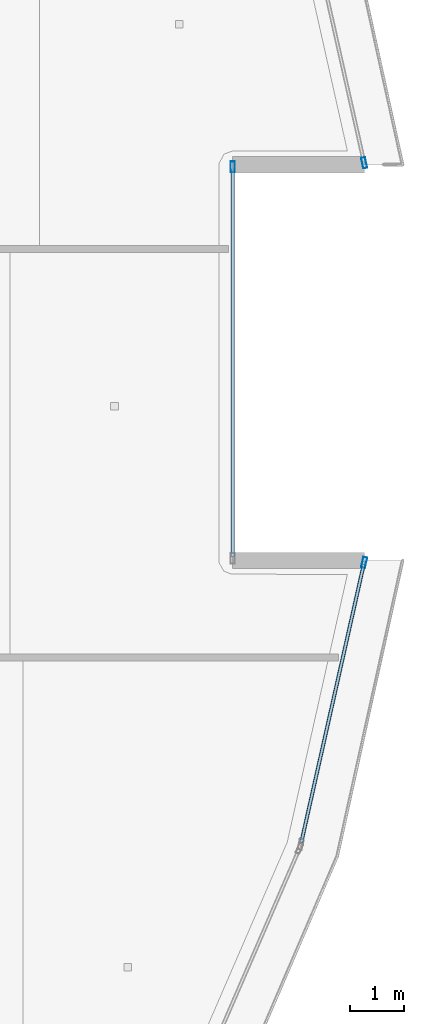
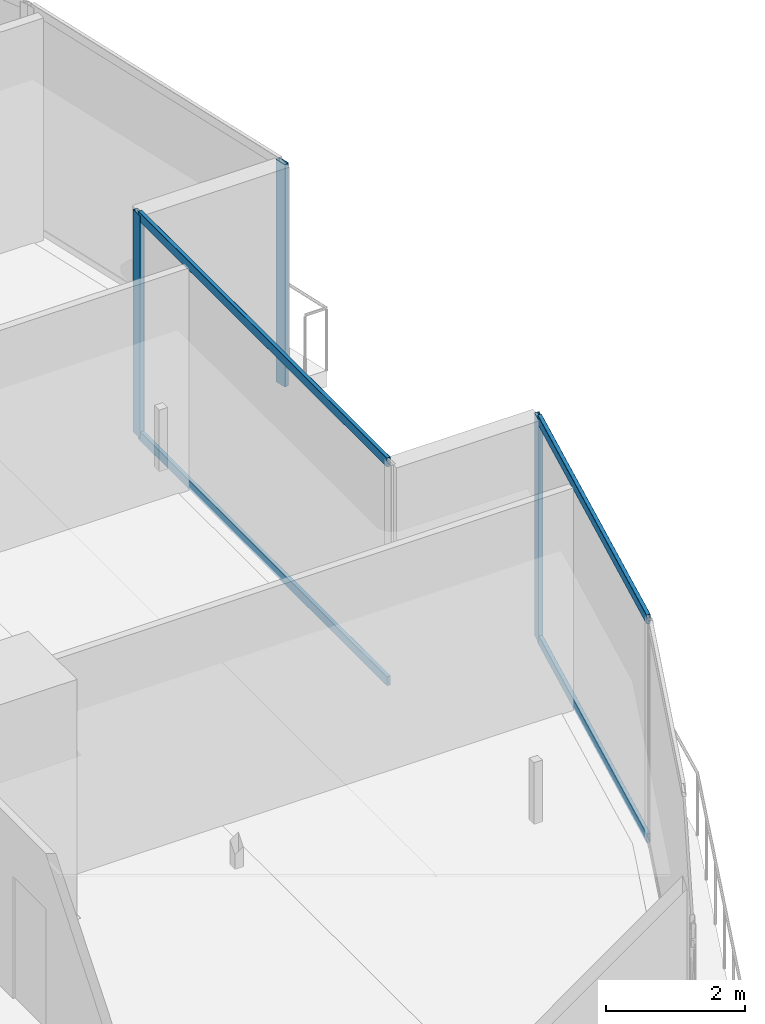
# One storey, part 10 of 29: 7 members, 3 elements without a shape of their own.
"""IFC4 building model written with IfcOpenShell, lengths in metres."""

from ifc_helpers import new_model, si_unit, direction, frame, origin, origin_2d, place, context, subcontext, project, spatial, hollow_rectangle, extrude, material, layer, layer_set, material_profile, profile_set, type_object, element, aggregate, save


model = new_model("IFC4")

# Units and contexts
model_context = context("Model", 3, precision=1e-05, world=origin(), true_north=direction((0.0, 1.0)))
body_context = subcontext(model_context, "Body", "Model", "MODEL_VIEW")
ifc_project = project(units=[si_unit("LENGTHUNIT", "METRE"), si_unit("AREAUNIT", "SQUARE_METRE"), si_unit("VOLUMEUNIT", "CUBIC_METRE"), si_unit("PLANEANGLEUNIT", "RADIAN"), si_unit("MASSUNIT", "GRAM", prefix="KILO")], contexts=[model_context])

# Site, building, storey
site_placement = place(None, origin())
site = spatial("IfcSite", under=ifc_project, at=site_placement, CompositionType="ELEMENT")
building_placement = place(site_placement, origin())
building = spatial("IfcBuilding", under=site, at=building_placement, Name="Qorvath Tower", CompositionType="ELEMENT")
storey_placement = place(building_placement, frame((0.0, 0.0, 285.0)))
storey = spatial("IfcBuildingStorey", under=building, at=storey_placement, Name="L66", CompositionType="ELEMENT", Elevation=285.0)

# Curtain wall, member
ifc_material_1 = material(Name="Anodised aluminium and triple low-E glass", Category="aluminium")
ifc_layer = layer(ifc_material_1, 0.179931640625)
ifc_layer_set = layer_set([ifc_layer], Name="CW-SYS-4")
curtain_wall_type = type_object("IfcCurtainWallType", Name="CW-SYS-4", PredefinedType="NOTDEFINED", material=ifc_layer_set)
curtain_wall_1_placement = place(storey_placement, origin())
curtain_wall_1 = element("IfcCurtainWall", 1, at=curtain_wall_1_placement, inside=storey, type_object=curtain_wall_type, Name="Curtain Wall CW-4 CW-T-L66-7.1", PredefinedType="NOTDEFINED")
ifc_material_2 = material(Name="Anodised aluminium 6063-T6", Category="aluminium")
ifc_material_profile_1 = material_profile(ifc_material_2, hollow_rectangle(XDim=0.074951171875, YDim=0.199951171875, WallThickness=0.00390625, InnerFilletRadius=0.00390625, OuterFilletRadius=0.008056640625, at=origin_2d()), Name="CWM 200x75")
ifc_profile_set_1 = profile_set([ifc_material_profile_1], Name="Anodised aluminium 6063-T6")
member_type_1 = type_object("IfcMemberType", Name="CWM-200", PredefinedType="MULLION", material=ifc_profile_set_1)
member_1_placement = place(storey_placement, frame((-2.122802734375, -3.6923828125, 0.0), z_axis=(0.0, 0.0, 1.0), x_axis=(-0.975687408116, 0.219166789554, 0.0)))
member_1 = element("IfcMember", 2, at=member_1_placement, type_object=member_type_1, Name="CW-4 mullion 2", PredefinedType="MULLION", context=body_context, shape_type="SweptSolid", body=[
    extrude(hollow_rectangle(XDim=0.074951171875, YDim=0.199951171875, WallThickness=0.00390625, InnerFilletRadius=0.00390625, OuterFilletRadius=0.008056640625, at=origin_2d()), origin(), (0.0, 0.0, 1.0), 3.909912109375),
])

curtain_wall_2_placement = place(storey_placement, origin())
curtain_wall_2 = element("IfcCurtainWall", 3, at=curtain_wall_2_placement, inside=storey, type_object=curtain_wall_type, Name="Curtain Wall CW-4 CW-T-L66-9.1", PredefinedType="NOTDEFINED")
member_2_placement = place(storey_placement, frame((-4.552001953125, 3.618408203125, 0.0), z_axis=(0.0, 0.0, 1.0), x_axis=(-1.0, 0.0, 0.0)))
member_2 = element("IfcMember", 4, at=member_2_placement, type_object=member_type_1, Name="CW-4 mullion 2", PredefinedType="MULLION", context=body_context, shape_type="SweptSolid", body=[
    extrude(hollow_rectangle(XDim=0.074951171875, YDim=0.199951171875, WallThickness=0.00390625, InnerFilletRadius=0.00390625, OuterFilletRadius=0.008056640625, at=origin_2d()), origin(), (0.0, 0.0, 1.0), 3.909912109375),
])

curtain_wall_3_placement = place(storey_placement, origin())
curtain_wall_3 = element("IfcCurtainWall", 5, at=curtain_wall_3_placement, inside=storey, type_object=curtain_wall_type, Name="Curtain Wall CW-4 CW-T-L66-11.1", PredefinedType="NOTDEFINED")
member_3_placement = place(storey_placement, frame((-2.122802734375, 3.6923828125, 0.0), z_axis=(0.0, 0.0, 1.0), x_axis=(-0.975687408116, -0.219166789554, 0.0)))
member_3 = element("IfcMember", 6, at=member_3_placement, type_object=member_type_1, Name="CW-4 mullion 1", PredefinedType="MULLION", context=body_context, shape_type="SweptSolid", body=[
    extrude(hollow_rectangle(XDim=0.074951171875, YDim=0.199951171875, WallThickness=0.00390625, InnerFilletRadius=0.00390625, OuterFilletRadius=0.008056640625, at=origin_2d()), origin(), (0.0, 0.0, 1.0), 3.909912109375),
])
aggregate(curtain_wall_3, [member_3])

# Member
ifc_material_3 = material(Name="Anodised aluminium 6063-T6", Category="aluminium")
ifc_material_profile_2 = material_profile(ifc_material_3, hollow_rectangle(XDim=0.06494140625, YDim=0.159912109375, WallThickness=0.00341796875, InnerFilletRadius=0.00341796875, OuterFilletRadius=0.007080078125, at=origin_2d()), Name="CWT 160x65")
ifc_profile_set_2 = profile_set([ifc_material_profile_2], Name="Anodised aluminium 6063-T6")
member_type_2 = type_object("IfcMemberType", Name="CWT-160", PredefinedType="USERDEFINED", material=ifc_profile_set_2)
member_4_placement = place(storey_placement, frame((-3.28515625, -8.865966796875, 0.032470703125), z_axis=(0.219193300083, 0.975681452729, 0.0), x_axis=(-0.975681452729, 0.219193300083, 0.0)))
member_4 = element("IfcMember", 7, at=member_4_placement, type_object=member_type_2, Name="CW-4 transom 1.1", ObjectType="TRANSOM", PredefinedType="USERDEFINED", context=body_context, shape_type="SweptSolid", body=[
    extrude(hollow_rectangle(XDim=0.06494140625, YDim=0.159912109375, WallThickness=0.00341796875, InnerFilletRadius=0.00341796875, OuterFilletRadius=0.007080078125, at=origin_2d()), origin(), (0.0, 0.0, 1.0), 5.264892578125),
])

member_5_placement = place(storey_placement, frame((-3.28515625, -8.865966796875, 3.87744140625), z_axis=(0.219193300083, 0.975681452729, 0.0), x_axis=(-0.975681452729, 0.219193300083, 0.0)))
member_5 = element("IfcMember", 8, at=member_5_placement, type_object=member_type_2, Name="CW-4 transom 1.2", ObjectType="TRANSOM", PredefinedType="USERDEFINED", context=body_context, shape_type="SweptSolid", body=[
    extrude(hollow_rectangle(XDim=0.06494140625, YDim=0.159912109375, WallThickness=0.00341796875, InnerFilletRadius=0.00341796875, OuterFilletRadius=0.007080078125, at=origin_2d()), origin(), (0.0, 0.0, 1.0), 5.264892578125),
])

aggregate(curtain_wall_1, [member_1, member_4, member_5])

member_6_placement = place(storey_placement, frame((-4.552001953125, -3.580810546875, 0.032470703125), z_axis=(0.0, 1.0, 0.0), x_axis=(-1.0, 0.0, 0.0)))
member_6 = element("IfcMember", 9, at=member_6_placement, type_object=member_type_2, Name="CW-4 transom 1.1", ObjectType="TRANSOM", PredefinedType="USERDEFINED", context=body_context, shape_type="SweptSolid", body=[
    extrude(hollow_rectangle(XDim=0.06494140625, YDim=0.159912109375, WallThickness=0.00341796875, InnerFilletRadius=0.00341796875, OuterFilletRadius=0.007080078125, at=origin_2d()), origin(), (0.0, 0.0, 1.0), 7.16162109375),
])

member_7_placement = place(storey_placement, frame((-4.552001953125, -3.580810546875, 3.87744140625), z_axis=(0.0, 1.0, 0.0), x_axis=(-1.0, 0.0, 0.0)))
member_7 = element("IfcMember", 10, at=member_7_placement, type_object=member_type_2, Name="CW-4 transom 1.2", ObjectType="TRANSOM", PredefinedType="USERDEFINED", context=body_context, shape_type="SweptSolid", body=[
    extrude(hollow_rectangle(XDim=0.06494140625, YDim=0.159912109375, WallThickness=0.00341796875, InnerFilletRadius=0.00341796875, OuterFilletRadius=0.007080078125, at=origin_2d()), origin(), (0.0, 0.0, 1.0), 7.16162109375),
])

aggregate(curtain_wall_2, [member_2, member_6, member_7])

save(model, "model.ifc")
